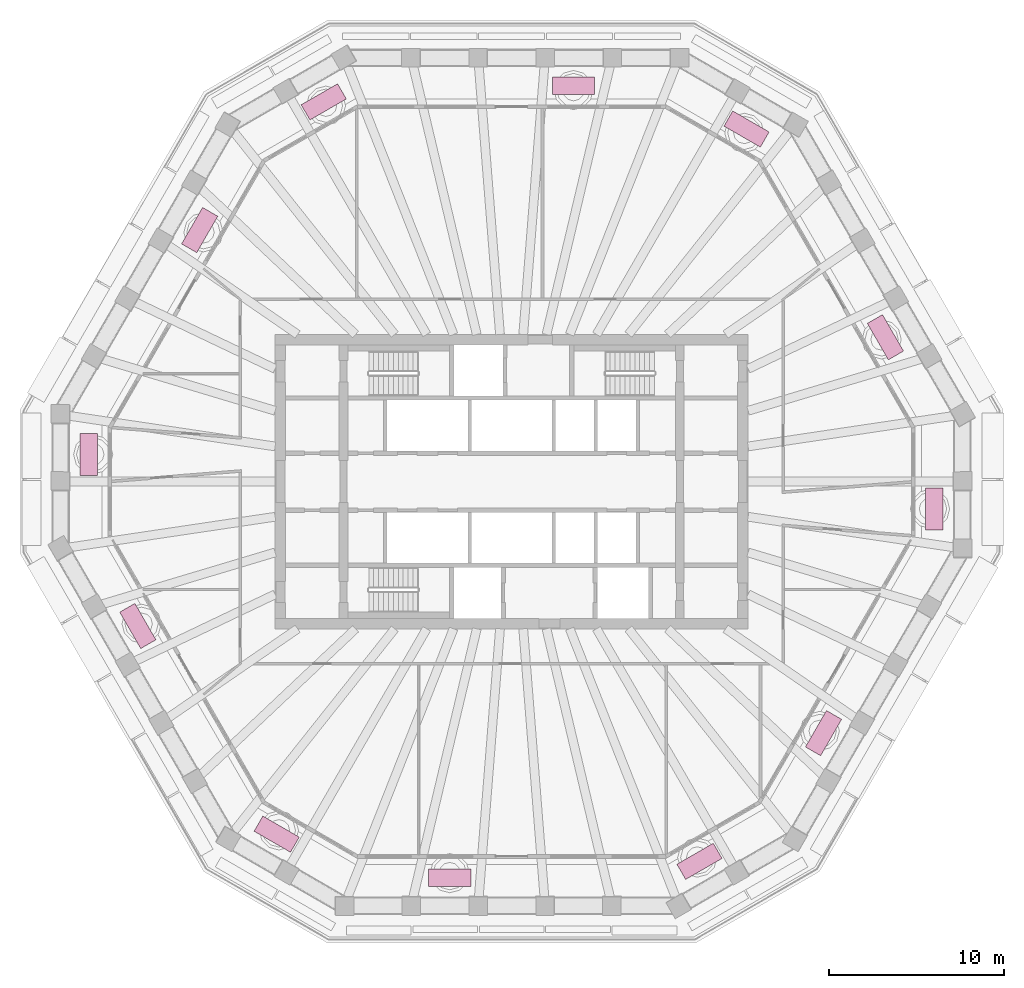
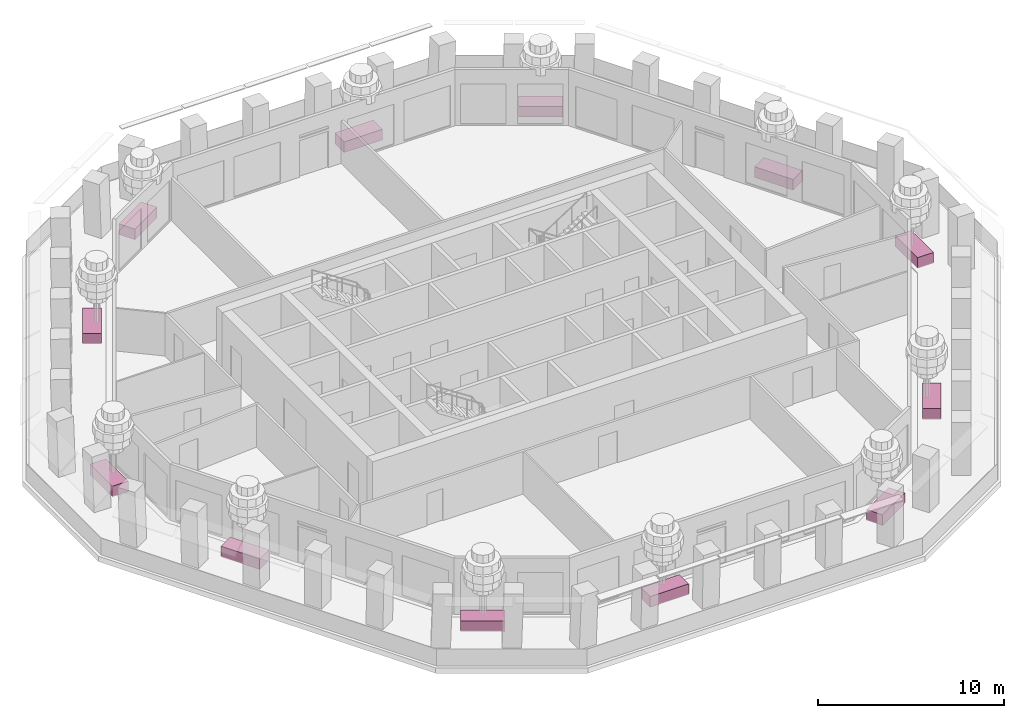
# One storey, part 10 of 12: 12 furniture elements.
"""IFC4 building model written with IfcOpenShell, lengths in metres."""

from ifc_helpers import new_model, si_unit, direction, frame, origin, origin_2d, place, context, subcontext, project, spatial, rectangle, extrude, material, type_object, element, save


model = new_model("IFC4")

# Units and contexts
model_context = context("Model", 3, precision=1e-05, world=origin(), true_north=direction((0.0, 1.0)))
body_context = subcontext(model_context, "Body", "Model", "MODEL_VIEW")
ifc_project = project(units=[si_unit("LENGTHUNIT", "METRE"), si_unit("AREAUNIT", "SQUARE_METRE"), si_unit("VOLUMEUNIT", "CUBIC_METRE"), si_unit("PLANEANGLEUNIT", "RADIAN"), si_unit("MASSUNIT", "GRAM", prefix="KILO")], contexts=[model_context])

# Site, building, storey
site_placement = place(None, origin())
site = spatial("IfcSite", under=ifc_project, at=site_placement, CompositionType="ELEMENT")
building_placement = place(site_placement, origin())
building = spatial("IfcBuilding", under=site, at=building_placement, Name="Frailejon Research Tower", CompositionType="ELEMENT")
storey_placement = place(building_placement, frame((0.0, 0.0, 211.39990234375)))
storey = spatial("IfcBuildingStorey", under=building, at=storey_placement, Name="L45", CompositionType="ELEMENT", Elevation=211.39990234375)

# Furniture
ifc_material = material(Name="Precast concrete C30/37 planter, terracotta", Category="masonry")
furniture_type = type_object("IfcFurnitureType", Name="Terrace planter 2400x1000", AssemblyPlace="NOTDEFINED", PredefinedType="USERDEFINED", material=ifc_material)
for number, where, z_axis, x_axis, name in (
    (1, (24.134521484375, -1.551513671875, 0.0), (0.0, 0.0, 1.0), (0.0, 1.0, 0.0), "Planter L45"),
    (2, (21.338134765625, 8.2412109375, 0.0), (0.0, 0.0, 1.0), (-0.5, 0.866025403784, 0.0), "Planter L45"),
    (3, (13.410888671875, 20.125244140625, 0.0), (0.0, 0.0, 1.0), (-0.866025403784, 0.5, 0.0), "Planter L45"),
    (4, (3.531982421875, 22.60009765625, 0.0), (0.0, 0.0, 1.0), (-1.0, 0.0, 0.0), "Planter L45"),
    (5, (-10.723388671875, 21.6767578125, 0.0), (0.0, 0.0, 1.0), (-0.866025403784, -0.5, 0.0), "Planter L45"),
    (6, (-17.80615234375, 14.358642578125, 0.0), (0.0, 0.0, 1.0), (-0.5, -0.866025403784, 0.0), "Planter L45"),
    (7, (-24.134521484375, 1.551513671875, 0.0), (0.0, 0.0, 1.0), (0.0, -1.0, 0.0), "Planter L45"),
    (8, (-21.338134765625, -8.2412109375, 0.0), (0.0, 0.0, 1.0), (0.5, -0.866025403784, 0.0), "Planter L45"),
    (9, (-13.410888671875, -20.125244140625, 0.0), (0.0, 0.0, 1.0), (0.866025403784, -0.5, 0.0), "Planter L45"),
    (10, (-3.531982421875, -22.60009765625, 0.0), (0.0, 0.0, 1.0), (1.0, 0.0, 0.0), "Planter L45"),
    (11, (10.723388671875, -21.6767578125, 0.0), (0.0, 0.0, 1.0), (0.866025403784, 0.5, 0.0), "Planter L45"),
    (12, (17.80615234375, -14.358642578125, 0.0), (0.0, 0.0, 1.0), (0.5, 0.866025403784, 0.0), "Planter L45"),
):
    element("IfcFurniture", number, at=place(storey_placement, frame(where, z_axis=z_axis, x_axis=x_axis)), inside=storey, type_object=furniture_type, Name=name, ObjectType="PLANTER", PredefinedType="USERDEFINED", context=body_context, shape_type="SweptSolid", body=[
        extrude(rectangle(XDim=2.39990234375, YDim=1.0, at=origin_2d()), origin(), (0.0, 0.0, 1.0), 0.699951171875),
    ])

save(model, "model.ifc")
